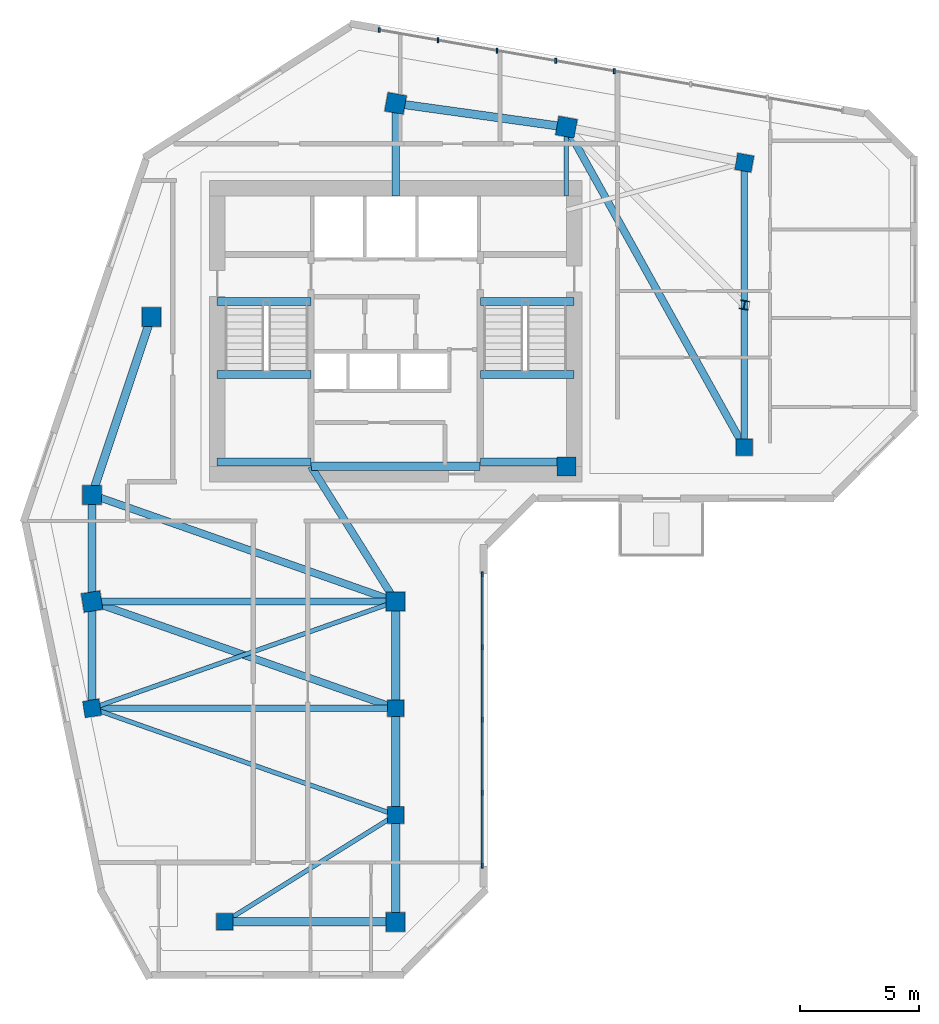
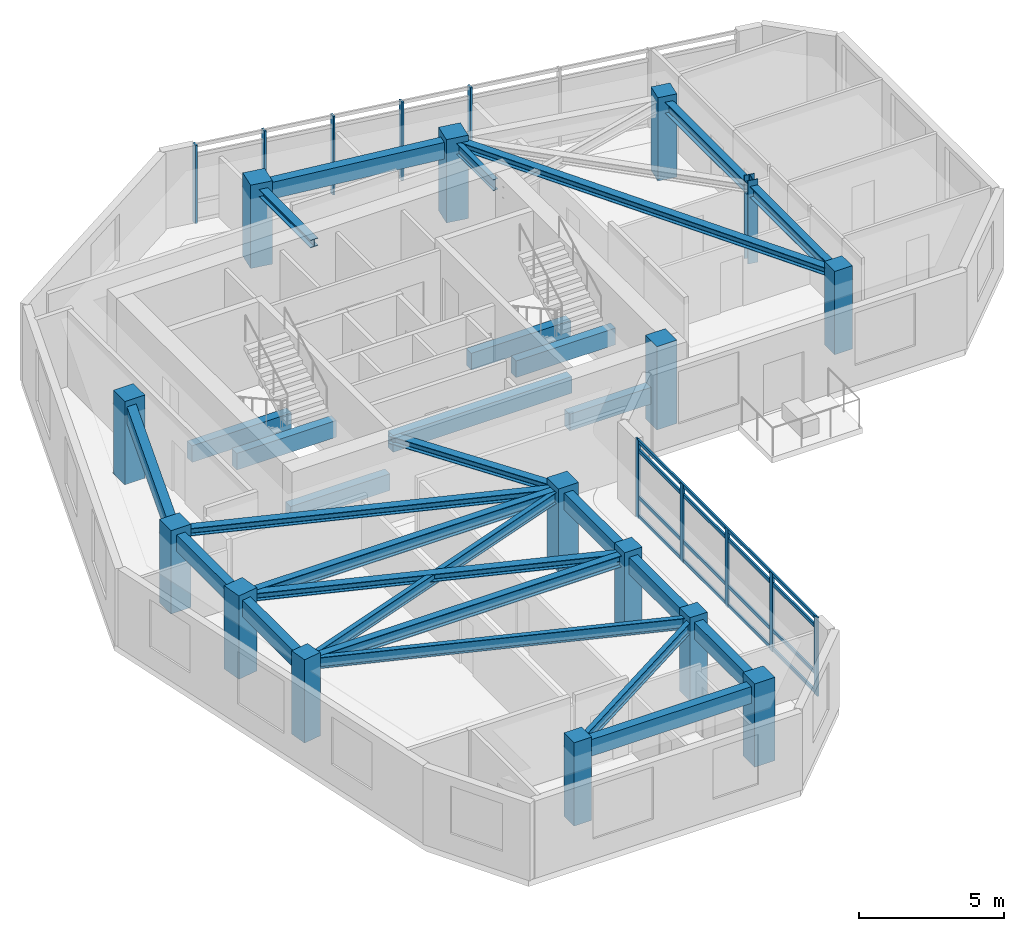
# One storey, part 1 of 9: 27 beams, 15 columns, 14 members, 2 elements without a shape of their own.
"""IFC4 building model written with IfcOpenShell, lengths in metres."""

from ifc_helpers import new_model, si_unit, direction, frame, origin, origin_2d, place, context, subcontext, project, spatial, rectangle, i_section, extrude, source, transform, mapped, material, material_profile, profile_set, type_object, element, aggregate, save


model = new_model("IFC4")

# Units and contexts
model_context = context("Model", 3, precision=1e-05, world=origin(), true_north=direction((0.0, 1.0)))
body_context = subcontext(model_context, "Body", "Model", "MODEL_VIEW")
ifc_project = project(units=[si_unit("LENGTHUNIT", "METRE"), si_unit("AREAUNIT", "SQUARE_METRE"), si_unit("VOLUMEUNIT", "CUBIC_METRE"), si_unit("PLANEANGLEUNIT", "RADIAN"), si_unit("MASSUNIT", "GRAM", prefix="KILO")], contexts=[model_context])

# Site, building, storey
site_placement = place(None, origin())
site = spatial("IfcSite", under=ifc_project, at=site_placement, CompositionType="ELEMENT")
building_placement = place(site_placement, origin())
building = spatial("IfcBuilding", under=site, at=building_placement, Name="Calvemar Wedge Station Tower", CompositionType="ELEMENT")
storey_placement = place(building_placement, frame((0.0, 0.0, 228.89990234375)))
storey = spatial("IfcBuildingStorey", under=building, at=storey_placement, Name="L58", CompositionType="ELEMENT", Elevation=228.89990234375)

# Columns
ifc_material_1 = material(Name="Concrete C50", Category="concrete")
ifc_material_profile_1 = material_profile(ifc_material_1, rectangle(XDim=0.800048828125, YDim=0.800048828125, at=origin_2d()), Name="RC800x800")
ifc_profile_set_1 = profile_set([ifc_material_profile_1], Name="Concrete C50")
column_type_1 = type_object("IfcColumnType", Name="COL-C6-800", PredefinedType="COLUMN", material=ifc_profile_set_1)
shared_shape_1 = source(origin(), body_context, "Body", "SweptSolid", [
    extrude(rectangle(XDim=0.800048828125, YDim=0.800048828125, at=origin_2d()), origin(), (0.0, 0.0, 1.0), 3.5),
])
for number, where, z_axis, x_axis, name in (
    (1, (11.0, 33.0, 0.0), (0.0, 0.0, 1.0), (1.0, 0.0, 0.0), "Storey L58 Column T-NW1"),
    (2, (13.5, 40.5, 0.0), (0.0, 0.0, 1.0), (1.0, 0.0, 0.0), "Storey L58 Column T-NW2"),
    (3, (23.800048828125, 49.5, 0.0), (0.0, 0.0, 1.0), (0.984195607969, -0.17708474032, 0.0), "Storey L58 Column T-N1"),
    (4, (31.0, 48.5, 0.0), (0.0, 0.0, 1.0), (0.984195607969, -0.17708474032, 0.0), "Storey L58 Column T-N2"),
    (5, (31.0, 34.199951171875, 0.0), (0.0, 0.0, 1.0), (1.0, 0.0, 0.0), "Storey L58 Column T-NL1"),
    (6, (11.0, 28.5, 0.0), (0.0, 0.0, 1.0), (0.158158067254, -0.987413806751, 0.0), "Storey L58 Column T-SW1"),
    (7, (23.800048828125, 28.5, 0.0), (0.0, 0.0, 1.0), (1.0, 0.0, 0.0), "Storey L58 Column T-SE1"),
    (8, (23.800048828125, 15.0, 0.0), (0.0, 0.0, 1.0), (1.0, 0.0, 0.0), "Storey L58 Column T-SE4"),
):
    element("IfcColumn", number, at=place(storey_placement, frame(where, z_axis=z_axis, x_axis=x_axis)), inside=storey, type_object=column_type_1, Name=name, PredefinedType="COLUMN", context=body_context, shape_type="MappedRepresentation", body=[
        mapped(shared_shape_1, transform((0.0, 0.0, 0.0), scale=1.0)),
    ])
ifc_material_profile_2 = material_profile(ifc_material_1, rectangle(XDim=0.699951171875, YDim=0.699951171875, at=origin_2d()), Name="RC700x700")
ifc_profile_set_2 = profile_set([ifc_material_profile_2], Name="Concrete C50")
column_type_2 = type_object("IfcColumnType", Name="COL-C7-700", PredefinedType="COLUMN", material=ifc_profile_set_2)
shared_shape_2 = source(origin(), body_context, "Body", "SweptSolid", [
    extrude(rectangle(XDim=0.699951171875, YDim=0.699951171875, at=origin_2d()), origin(), (0.0, 0.0, 1.0), 3.5),
])
for number, where, z_axis, x_axis, name in (
    (9, (38.5, 47.0, 0.0), (0.0, 0.0, 1.0), (0.984195607969, -0.17708474032, 0.0), "Storey L58 Column T-NU3"),
    (10, (38.5, 35.0, 0.0), (0.0, 0.0, 1.0), (1.0, 0.0, 0.0), "Storey L58 Column T-NL2"),
    (11, (11.0, 24.0, 0.0), (0.0, 0.0, 1.0), (0.158158067254, -0.987413806751, 0.0), "Storey L58 Column T-SW2"),
    (12, (23.800048828125, 24.0, 0.0), (0.0, 0.0, 1.0), (1.0, 0.0, 0.0), "Storey L58 Column T-SE2"),
    (13, (23.800048828125, 19.5, 0.0), (0.0, 0.0, 1.0), (1.0, 0.0, 0.0), "Storey L58 Column T-SE3"),
    (14, (16.60009765625, 15.0, 0.0), (0.0, 0.0, 1.0), (1.0, 0.0, 0.0), "Storey L58 Column T-SM1"),
):
    element("IfcColumn", number, at=place(storey_placement, frame(where, z_axis=z_axis, x_axis=x_axis)), inside=storey, type_object=column_type_2, Name=name, PredefinedType="COLUMN", context=body_context, shape_type="MappedRepresentation", body=[
        mapped(shared_shape_2, transform((0.0, 0.0, 0.0), scale=1.0)),
    ])
ifc_material_2 = material(Name="Structural steel ASTM A572 Grade 50", Category="steel")
ifc_material_profile_3 = material_profile(ifc_material_2, i_section(OverallWidth=0.3740234375, OverallDepth=0.3720703125, WebThickness=0.016357421875, FlangeThickness=0.026123046875, FilletRadius=0.014892578125, at=origin_2d()), Name="W360x196")
ifc_profile_set_3 = profile_set([ifc_material_profile_3], Name="Structural steel ASTM A572 Grade 50")
column_type_3 = type_object("IfcColumnType", Name="COL-STL-W360", PredefinedType="COLUMN", material=ifc_profile_set_3)
shared_shape_3 = source(origin(), body_context, "Body", "SweptSolid", [
    extrude(i_section(OverallWidth=0.3740234375, OverallDepth=0.3720703125, WebThickness=0.016357421875, FlangeThickness=0.026123046875, FilletRadius=0.014892578125, at=origin_2d()), origin(), (0.0, 0.0, 1.0), 3.5),
])
column_placement = place(storey_placement, frame((38.5, 41.0, 0.0), z_axis=(0.0, 0.0, 1.0), x_axis=(0.984195607969, -0.17708474032, 0.0)))
element("IfcColumn", 15, at=column_placement, inside=storey, type_object=column_type_3, Name="Storey L58 Column T-NTIP-B", PredefinedType="COLUMN", context=body_context, shape_type="MappedRepresentation", body=[
    mapped(shared_shape_3, transform((0.0, 0.0, 0.0), scale=1.0)),
])

# Beams
ifc_material_3 = material(Name="Concrete C70", Category="concrete")
ifc_material_profile_4 = material_profile(ifc_material_3, rectangle(XDim=0.35009765625, YDim=0.699951171875, at=origin_2d()), Name="RC350x700")
ifc_profile_set_4 = profile_set([ifc_material_profile_4], Name="Concrete C70")
beam_type_1 = type_object("IfcBeamType", Name="BM-LN1-700", PredefinedType="LINTEL", material=ifc_profile_set_4)
shared_shape_4 = source(origin(), body_context, "Body", "SweptSolid", [
    extrude(rectangle(XDim=0.35009765625, YDim=0.699951171875, at=origin_2d()), origin(), (0.0, 0.0, 1.0), 7.10009765625),
])
beam_1_placement = place(storey_placement, frame((20.25, 34.199951171875, 2.900146484375), z_axis=(1.0, 0.0, 0.0), x_axis=(0.0, 1.0, 0.0)))
element("IfcBeam", 16, at=beam_1_placement, inside=storey, type_object=beam_type_1, Name="Storey L58 Core Coupling Lintel South", PredefinedType="LINTEL", context=body_context, shape_type="MappedRepresentation", body=[
    mapped(shared_shape_4, transform((0.0, 0.0, 0.0), scale=1.0)),
])
ifc_material_profile_5 = material_profile(ifc_material_2, i_section(OverallWidth=0.30908203125, OverallDepth=0.322998046875, WebThickness=0.013916015625, FlangeThickness=0.02294921875, FilletRadius=0.014892578125, at=origin_2d()), Name="W310x143")
ifc_profile_set_5 = profile_set([ifc_material_profile_5], Name="Structural steel ASTM A572 Grade 50")
beam_type_2 = type_object("IfcBeamType", Name="BM-J5-W310H", PredefinedType="JOIST", material=ifc_profile_set_5)
shared_shape_5 = source(origin(), body_context, "Body", "SweptSolid", [
    extrude(i_section(OverallWidth=0.30908203125, OverallDepth=0.322998046875, WebThickness=0.013916015625, FlangeThickness=0.02294921875, FilletRadius=0.014892578125, at=origin_2d()), origin(), (0.0, 0.0, 1.0), 15.443359375),
])
beam_2_placement = place(storey_placement, frame((31.0, 48.5, 3.088623046875), z_axis=(0.485642931179, -0.874157276122, 0.0), x_axis=(0.874157276122, 0.485642931179, 0.0)))
element("IfcBeam", 17, at=beam_2_placement, inside=storey, type_object=beam_type_2, Name="Storey L58 Floor Beam T-N2-T-NL2", PredefinedType="JOIST", context=body_context, shape_type="MappedRepresentation", body=[
    mapped(shared_shape_5, transform((0.0, 0.0, 0.0), scale=1.0)),
])
shared_shape_6 = source(origin(), body_context, "Body", "SweptSolid", [
    extrude(i_section(OverallWidth=0.30908203125, OverallDepth=0.322998046875, WebThickness=0.013916015625, FlangeThickness=0.02294921875, FilletRadius=0.014892578125, at=origin_2d()), origin(), (0.0, 0.0, 1.0), 13.568115234375),
])
for number, where, z_axis, x_axis, name in (
    (18, (11.0, 33.0, 3.088623046875), (0.943398221169, -0.331662171939, 0.0), (0.331662171939, 0.943398221169, 0.0), "Storey L58 Floor Beam T-NW1-T-SE1"),
    (19, (11.0, 28.5, 3.088623046875), (0.943398221169, -0.331662171939, 0.0), (0.331662171939, 0.943398221169, 0.0), "Storey L58 Floor Beam T-SW1-T-SE2"),
):
    element("IfcBeam", number, at=place(storey_placement, frame(where, z_axis=z_axis, x_axis=x_axis)), inside=storey, type_object=beam_type_2, Name=name, PredefinedType="JOIST", context=body_context, shape_type="MappedRepresentation", body=[
        mapped(shared_shape_6, transform((0.0, 0.0, 0.0), scale=1.0)),
    ])
ifc_material_profile_6 = material_profile(ifc_material_2, i_section(OverallWidth=0.19189453125, OverallDepth=0.462890625, WebThickness=0.010498046875, FlangeThickness=0.017578125, FilletRadius=0.012939453125, at=origin_2d()), Name="W460x89")
ifc_profile_set_6 = profile_set([ifc_material_profile_6], Name="Structural steel ASTM A572 Grade 50")
beam_type_3 = type_object("IfcBeamType", Name="BM-J1-W460", PredefinedType="JOIST", material=ifc_profile_set_6)
shared_shape_7 = source(origin(), body_context, "Body", "SweptSolid", [
    extrude(i_section(OverallWidth=0.19189453125, OverallDepth=0.462890625, WebThickness=0.010498046875, FlangeThickness=0.017578125, FilletRadius=0.012939453125, at=origin_2d()), origin(), (0.0, 0.0, 1.0), 13.568115234375),
])
for number, where, z_axis, x_axis, name in (
    (20, (23.800048828125, 28.5, 3.0185546875), (-0.943398221169, -0.331662171939, 0.0), (0.331662171939, -0.943398221169, 0.0), "Storey L58 Floor Beam T-SE1-T-SW2"),
    (21, (11.0, 24.0, 3.0185546875), (0.943398221169, -0.331662171939, 0.0), (0.331662171939, 0.943398221169, 0.0), "Storey L58 Floor Beam T-SW2-T-SE3"),
):
    element("IfcBeam", number, at=place(storey_placement, frame(where, z_axis=z_axis, x_axis=x_axis)), inside=storey, type_object=beam_type_3, Name=name, PredefinedType="JOIST", context=body_context, shape_type="MappedRepresentation", body=[
        mapped(shared_shape_7, transform((0.0, 0.0, 0.0), scale=1.0)),
    ])
shared_shape_8 = source(origin(), body_context, "Body", "SweptSolid", [
    extrude(i_section(OverallWidth=0.19189453125, OverallDepth=0.462890625, WebThickness=0.010498046875, FlangeThickness=0.017578125, FilletRadius=0.012939453125, at=origin_2d()), origin(), (0.0, 0.0, 1.0), 8.490478515625),
])
beam_3_placement = place(storey_placement, frame((23.800048828125, 19.5, 3.0185546875), z_axis=(-0.847996688584, -0.530001524668, 0.0), x_axis=(0.530001524668, -0.847996688584, 0.0)))
element("IfcBeam", 22, at=beam_3_placement, inside=storey, type_object=beam_type_3, Name="Storey L58 Floor Beam T-SE3-T-SM1", PredefinedType="JOIST", context=body_context, shape_type="MappedRepresentation", body=[
    mapped(shared_shape_8, transform((0.0, 0.0, 0.0), scale=1.0)),
])
shared_shape_9 = source(origin(), body_context, "Body", "SweptSolid", [
    extrude(i_section(OverallWidth=0.30908203125, OverallDepth=0.322998046875, WebThickness=0.013916015625, FlangeThickness=0.02294921875, FilletRadius=0.014892578125, at=origin_2d()), origin(), (0.0, 0.0, 1.0), 3.89990234375),
])
beam_4_placement = place(storey_placement, frame((23.800048828125, 45.60009765625, 3.088623046875), z_axis=(0.0, 1.0, 0.0), x_axis=(-1.0, 0.0, 0.0)))
element("IfcBeam", 23, at=beam_4_placement, inside=storey, type_object=beam_type_2, Name="Storey L58 Core-to-Column Joist CJ-N1", PredefinedType="JOIST", context=body_context, shape_type="MappedRepresentation", body=[
    mapped(shared_shape_9, transform((0.0, 0.0, 0.0), scale=1.0)),
])
shared_shape_10 = source(origin(), body_context, "Body", "SweptSolid", [
    extrude(i_section(OverallWidth=0.19189453125, OverallDepth=0.462890625, WebThickness=0.010498046875, FlangeThickness=0.017578125, FilletRadius=0.012939453125, at=origin_2d()), origin(), (0.0, 0.0, 1.0), 2.89990234375),
])
beam_5_placement = place(storey_placement, frame((31.0, 45.60009765625, 3.0185546875), z_axis=(0.0, 1.0, 0.0), x_axis=(-1.0, 0.0, 0.0)))
element("IfcBeam", 24, at=beam_5_placement, inside=storey, type_object=beam_type_3, Name="Storey L58 Core-to-Column Joist CJ-N2", PredefinedType="JOIST", context=body_context, shape_type="MappedRepresentation", body=[
    mapped(shared_shape_10, transform((0.0, 0.0, 0.0), scale=1.0)),
])
shared_shape_11 = source(origin(), body_context, "Body", "SweptSolid", [
    extrude(i_section(OverallWidth=0.30908203125, OverallDepth=0.322998046875, WebThickness=0.013916015625, FlangeThickness=0.02294921875, FilletRadius=0.014892578125, at=origin_2d()), origin(), (0.0, 0.0, 1.0), 6.7255859375),
])
beam_6_placement = place(storey_placement, frame((20.22998046875, 34.199951171875, 3.088623046875), z_axis=(0.530811158438, -0.847490126242, 0.0), x_axis=(0.847490126242, 0.530811158438, 0.0)))
element("IfcBeam", 25, at=beam_6_placement, inside=storey, type_object=beam_type_2, Name="Storey L58 Core-to-Column Joist CJ-S2", PredefinedType="JOIST", context=body_context, shape_type="MappedRepresentation", body=[
    mapped(shared_shape_11, transform((0.0, 0.0, 0.0), scale=1.0)),
])
shared_shape_12 = source(origin(), body_context, "Body", "SweptSolid", [
    extrude(rectangle(XDim=0.35009765625, YDim=0.699951171875, at=origin_2d()), origin(), (0.0, 0.0, 1.0), 3.955078125),
])
for number, where, z_axis, x_axis, name in (
    (26, (16.27490234375, 41.14990234375, -0.349853515625), (1.0, 0.0, 0.0), (0.0, 1.0, 0.0), "Storey L58 Stair ST-C1 Landing Trimmer Beam"),
    (27, (16.27490234375, 34.3798828125, 1.2001953125), (1.0, 0.0, 0.0), (0.0, 1.0, 0.0), "Storey L58 Stair ST-C1 Half-Landing Beam 1A"),
    (28, (16.27490234375, 38.070068359375, 1.2001953125), (1.0, 0.0, 0.0), (0.0, 1.0, 0.0), "Storey L58 Stair ST-C1 Half-Landing Beam 1B"),
):
    element("IfcBeam", number, at=place(storey_placement, frame(where, z_axis=z_axis, x_axis=x_axis)), inside=storey, type_object=beam_type_1, Name=name, PredefinedType="LINTEL", context=body_context, shape_type="MappedRepresentation", body=[
        mapped(shared_shape_12, transform((0.0, 0.0, 0.0), scale=1.0)),
    ])
shared_shape_13 = source(origin(), body_context, "Body", "SweptSolid", [
    extrude(rectangle(XDim=0.35009765625, YDim=0.699951171875, at=origin_2d()), origin(), (0.0, 0.0, 1.0), 3.954833984375),
])
for number, where, z_axis, x_axis, name in (
    (29, (27.3701171875, 41.14990234375, -0.349853515625), (1.0, 0.0, 0.0), (0.0, 1.0, 0.0), "Storey L58 Stair ST-C2 Landing Trimmer Beam"),
    (30, (27.3701171875, 34.3798828125, 1.2001953125), (1.0, 0.0, 0.0), (0.0, 1.0, 0.0), "Storey L58 Stair ST-C2 Half-Landing Beam 1A"),
    (31, (27.3701171875, 38.070068359375, 1.2001953125), (1.0, 0.0, 0.0), (0.0, 1.0, 0.0), "Storey L58 Stair ST-C2 Half-Landing Beam 1B"),
):
    element("IfcBeam", number, at=place(storey_placement, frame(where, z_axis=z_axis, x_axis=x_axis)), inside=storey, type_object=beam_type_1, Name=name, PredefinedType="LINTEL", context=body_context, shape_type="MappedRepresentation", body=[
        mapped(shared_shape_13, transform((0.0, 0.0, 0.0), scale=1.0)),
    ])
ifc_material_profile_7 = material_profile(ifc_material_1, rectangle(XDim=0.35009765625, YDim=0.699951171875, at=origin_2d()), Name="RC350x700")
ifc_profile_set_7 = profile_set([ifc_material_profile_7], Name="Concrete C50")
beam_type_4 = type_object("IfcBeamType", Name="BM-SP2-700", PredefinedType="SPANDREL", material=ifc_profile_set_7)
shared_shape_14 = source(origin(), body_context, "Body", "SweptSolid", [
    extrude(rectangle(XDim=0.35009765625, YDim=0.699951171875, at=origin_2d()), origin(), (0.0, 0.0, 1.0), 7.90576171875),
])
beam_7_placement = place(storey_placement, frame((11.0, 33.0, 2.900146484375), z_axis=(0.316227766017, 0.948683298051, 0.0), x_axis=(-0.948683298051, 0.316227766017, 0.0)))
element("IfcBeam", 32, at=beam_7_placement, inside=storey, type_object=beam_type_4, Name="Storey L58 Spandrel T-NW1-T-NW2", PredefinedType="SPANDREL", context=body_context, shape_type="MappedRepresentation", body=[
    mapped(shared_shape_14, transform((0.0, 0.0, 0.0), scale=1.0)),
])
shared_shape_15 = source(origin(), body_context, "Body", "SweptSolid", [
    extrude(rectangle(XDim=0.35009765625, YDim=0.699951171875, at=origin_2d()), origin(), (0.0, 0.0, 1.0), 7.26904296875),
])
beam_8_placement = place(storey_placement, frame((23.800048828125, 49.5, 2.900146484375), z_axis=(0.990492146053, -0.13756928657, 0.0), x_axis=(0.13756928657, 0.990492146053, 0.0)))
element("IfcBeam", 33, at=beam_8_placement, inside=storey, type_object=beam_type_4, Name="Storey L58 Spandrel T-N1-T-N2", PredefinedType="SPANDREL", context=body_context, shape_type="MappedRepresentation", body=[
    mapped(shared_shape_15, transform((0.0, 0.0, 0.0), scale=1.0)),
])
ifc_material_profile_8 = material_profile(ifc_material_2, i_section(OverallWidth=0.283935546875, OverallDepth=0.47607421875, WebThickness=0.014892578125, FlangeThickness=0.02392578125, FilletRadius=0.014892578125, at=origin_2d()), Name="W460x158")
ifc_profile_set_8 = profile_set([ifc_material_profile_8], Name="Structural steel ASTM A572 Grade 50")
beam_type_5 = type_object("IfcBeamType", Name="BM-SB5-W460H", PredefinedType="BEAM", material=ifc_profile_set_8)
shared_shape_16 = source(origin(), body_context, "Body", "SweptSolid", [
    extrude(i_section(OverallWidth=0.283935546875, OverallDepth=0.47607421875, WebThickness=0.014892578125, FlangeThickness=0.02392578125, FilletRadius=0.014892578125, at=origin_2d()), origin(), (0.0, 0.0, 1.0), 12.0),
])
beam_9_placement = place(storey_placement, frame((38.5, 47.0, 3.01220703125), z_axis=(0.0, -1.0, 0.0), x_axis=(1.0, 0.0, 0.0)))
element("IfcBeam", 34, at=beam_9_placement, inside=storey, type_object=beam_type_5, Name="Storey L58 Floor Beam T-NU3-T-NL2", PredefinedType="BEAM", context=body_context, shape_type="MappedRepresentation", body=[
    mapped(shared_shape_16, transform((0.0, 0.0, 0.0), scale=1.0)),
])
shared_shape_17 = source(origin(), body_context, "Body", "SweptSolid", [
    extrude(rectangle(XDim=0.35009765625, YDim=0.699951171875, at=origin_2d()), origin(), (0.0, 0.0, 1.0), 4.5),
])
for number, where, z_axis, x_axis, name in (
    (35, (11.0, 33.0, 2.900146484375), (0.0, -1.0, 0.0), (1.0, 0.0, 0.0), "Storey L58 Spandrel T-NW1-T-SW1"),
    (36, (11.0, 28.5, 2.900146484375), (0.0, -1.0, 0.0), (1.0, 0.0, 0.0), "Storey L58 Spandrel T-SW1-T-SW2"),
    (37, (23.800048828125, 28.5, 2.900146484375), (0.0, -1.0, 0.0), (1.0, 0.0, 0.0), "Storey L58 Spandrel T-SE1-T-SE2"),
    (38, (23.800048828125, 24.0, 2.900146484375), (0.0, -1.0, 0.0), (1.0, 0.0, 0.0), "Storey L58 Spandrel T-SE2-T-SE3"),
    (39, (23.800048828125, 19.5, 2.900146484375), (0.0, -1.0, 0.0), (1.0, 0.0, 0.0), "Storey L58 Spandrel T-SE3-T-SE4"),
):
    element("IfcBeam", number, at=place(storey_placement, frame(where, z_axis=z_axis, x_axis=x_axis)), inside=storey, type_object=beam_type_4, Name=name, PredefinedType="SPANDREL", context=body_context, shape_type="MappedRepresentation", body=[
        mapped(shared_shape_17, transform((0.0, 0.0, 0.0), scale=1.0)),
    ])
shared_shape_18 = source(origin(), body_context, "Body", "SweptSolid", [
    extrude(rectangle(XDim=0.35009765625, YDim=0.699951171875, at=origin_2d()), origin(), (0.0, 0.0, 1.0), 7.199951171875),
])
beam_10_placement = place(storey_placement, frame((16.60009765625, 15.0, 2.900146484375), z_axis=(1.0, 0.0, 0.0), x_axis=(0.0, 1.0, 0.0)))
element("IfcBeam", 40, at=beam_10_placement, inside=storey, type_object=beam_type_4, Name="Storey L58 Spandrel T-SM1-T-SE4", PredefinedType="SPANDREL", context=body_context, shape_type="MappedRepresentation", body=[
    mapped(shared_shape_18, transform((0.0, 0.0, 0.0), scale=1.0)),
])
shared_shape_19 = source(origin(), body_context, "Body", "SweptSolid", [
    extrude(i_section(OverallWidth=0.283935546875, OverallDepth=0.47607421875, WebThickness=0.014892578125, FlangeThickness=0.02392578125, FilletRadius=0.014892578125, at=origin_2d()), origin(), (0.0, 0.0, 1.0), 12.800048828125),
])
for number, where, z_axis, x_axis, name in (
    (41, (11.0, 28.5, 3.01220703125), (1.0, 0.0, 0.0), (0.0, 1.0, 0.0), "Storey L58 Floor Beam T-SW1-T-SE1"),
    (42, (11.0, 24.0, 3.01220703125), (1.0, 0.0, 0.0), (0.0, 1.0, 0.0), "Storey L58 Floor Beam T-SW2-T-SE2"),
):
    element("IfcBeam", number, at=place(storey_placement, frame(where, z_axis=z_axis, x_axis=x_axis)), inside=storey, type_object=beam_type_5, Name=name, PredefinedType="BEAM", context=body_context, shape_type="MappedRepresentation", body=[
        mapped(shared_shape_19, transform((0.0, 0.0, 0.0), scale=1.0)),
    ])

# Curtain wall, members
ifc_material_4 = material(Name="Anodised aluminium 6063-T6", Category="aluminium")
curtain_wall_type = type_object("IfcCurtainWallType", Name="CW3", PredefinedType="NOTDEFINED", material=ifc_material_4)
curtain_wall_1_placement = place(storey_placement, origin())
curtain_wall_1 = element("IfcCurtainWall", 43, at=curtain_wall_1_placement, inside=storey, type_object=curtain_wall_type, Name="Storey L58 CW3 Recessed Unitised Curtain Wall 4", PredefinedType="NOTDEFINED")
ifc_material_profile_9 = material_profile(ifc_material_4, rectangle(XDim=0.074951171875, YDim=0.2099609375, at=origin_2d()), Name="AL-MUL-75x210")
ifc_profile_set_9 = profile_set([ifc_material_profile_9], Name="Anodised aluminium 6063-T6")
member_type_1 = type_object("IfcMemberType", Name="CW3-MUL", PredefinedType="MULLION", material=ifc_profile_set_9)
shared_shape_20 = source(origin(), body_context, "Body", "SweptSolid", [
    extrude(rectangle(XDim=0.074951171875, YDim=0.2099609375, at=origin_2d()), origin(), (0.0, 0.0, 1.0), 3.2998046875),
])
member_1_placement = place(storey_placement, frame((27.4541015625, 17.362060546875, -0.0498046875), z_axis=(0.0, 0.0, 1.0), x_axis=(1.0, 0.0, 0.0)))
member_1 = element("IfcMember", 44, at=member_1_placement, type_object=member_type_1, Name="CW3 mullion 1", PredefinedType="MULLION", context=body_context, shape_type="MappedRepresentation", body=[
    mapped(shared_shape_20, transform((0.0, 0.0, 0.0), scale=1.0)),
])
member_2_placement = place(storey_placement, frame((27.4541015625, 20.43505859375, -0.0498046875), z_axis=(0.0, 0.0, 1.0), x_axis=(1.0, 0.0, 0.0)))
member_2 = element("IfcMember", 45, at=member_2_placement, type_object=member_type_1, Name="CW3 mullion 2", PredefinedType="MULLION", context=body_context, shape_type="MappedRepresentation", body=[
    mapped(shared_shape_20, transform((0.0, 0.0, 0.0), scale=1.0)),
])
member_3_placement = place(storey_placement, frame((27.4541015625, 23.508056640625, -0.0498046875), z_axis=(0.0, 0.0, 1.0), x_axis=(1.0, 0.0, 0.0)))
member_3 = element("IfcMember", 46, at=member_3_placement, type_object=member_type_1, Name="CW3 mullion 3", PredefinedType="MULLION", context=body_context, shape_type="MappedRepresentation", body=[
    mapped(shared_shape_20, transform((0.0, 0.0, 0.0), scale=1.0)),
])
member_4_placement = place(storey_placement, frame((27.4541015625, 26.5810546875, -0.0498046875), z_axis=(0.0, 0.0, 1.0), x_axis=(1.0, 0.0, 0.0)))
member_4 = element("IfcMember", 47, at=member_4_placement, type_object=member_type_1, Name="CW3 mullion 4", PredefinedType="MULLION", context=body_context, shape_type="MappedRepresentation", body=[
    mapped(shared_shape_20, transform((0.0, 0.0, 0.0), scale=1.0)),
])
member_5_placement = place(storey_placement, frame((27.4541015625, 29.654052734375, -0.0498046875), z_axis=(0.0, 0.0, 1.0), x_axis=(1.0, 0.0, 0.0)))
member_5 = element("IfcMember", 48, at=member_5_placement, type_object=member_type_1, Name="CW3 mullion 5", PredefinedType="MULLION", context=body_context, shape_type="MappedRepresentation", body=[
    mapped(shared_shape_20, transform((0.0, 0.0, 0.0), scale=1.0)),
])

curtain_wall_2_placement = place(storey_placement, origin())
curtain_wall_2 = element("IfcCurtainWall", 49, at=curtain_wall_2_placement, inside=storey, type_object=curtain_wall_type, Name="Storey L58 CW3 Recessed Unitised Curtain Wall 10", PredefinedType="NOTDEFINED")
member_6_placement = place(storey_placement, frame((33.021484375, 50.861572265625, -0.0498046875), z_axis=(0.0, 0.0, 1.0), x_axis=(1.0, 0.0, 0.0)))
member_6 = element("IfcMember", 50, at=member_6_placement, type_object=member_type_1, Name="CW3 mullion 4", PredefinedType="MULLION", context=body_context, shape_type="MappedRepresentation", body=[
    mapped(shared_shape_20, transform((0.0, 0.0, 0.0), scale=1.0)),
])
member_7_placement = place(storey_placement, frame((30.54638671875, 51.2939453125, -0.0498046875), z_axis=(0.0, 0.0, 1.0), x_axis=(1.0, 0.0, 0.0)))
member_7 = element("IfcMember", 51, at=member_7_placement, type_object=member_type_1, Name="CW3 mullion 5", PredefinedType="MULLION", context=body_context, shape_type="MappedRepresentation", body=[
    mapped(shared_shape_20, transform((0.0, 0.0, 0.0), scale=1.0)),
])
member_8_placement = place(storey_placement, frame((28.071533203125, 51.726318359375, -0.0498046875), z_axis=(0.0, 0.0, 1.0), x_axis=(1.0, 0.0, 0.0)))
member_8 = element("IfcMember", 52, at=member_8_placement, type_object=member_type_1, Name="CW3 mullion 6", PredefinedType="MULLION", context=body_context, shape_type="MappedRepresentation", body=[
    mapped(shared_shape_20, transform((0.0, 0.0, 0.0), scale=1.0)),
])
member_9_placement = place(storey_placement, frame((25.588134765625, 52.159912109375, -0.0498046875), z_axis=(0.0, 0.0, 1.0), x_axis=(1.0, 0.0, 0.0)))
member_9 = element("IfcMember", 53, at=member_9_placement, type_object=member_type_1, Name="CW3 mullion 7", PredefinedType="MULLION", context=body_context, shape_type="MappedRepresentation", body=[
    mapped(shared_shape_20, transform((0.0, 0.0, 0.0), scale=1.0)),
])
member_10_placement = place(storey_placement, frame((23.104736328125, 52.59375, -0.0498046875), z_axis=(0.0, 0.0, 1.0), x_axis=(1.0, 0.0, 0.0)))
member_10 = element("IfcMember", 54, at=member_10_placement, type_object=member_type_1, Name="CW3 mullion 8", PredefinedType="MULLION", context=body_context, shape_type="MappedRepresentation", body=[
    mapped(shared_shape_20, transform((0.0, 0.0, 0.0), scale=1.0)),
])
aggregate(curtain_wall_2, [member_6, member_7, member_8, member_9, member_10])

# Member
ifc_material_profile_10 = material_profile(ifc_material_4, rectangle(XDim=0.074951171875, YDim=0.14501953125, at=origin_2d()), Name="AL-TRN-75x145")
ifc_profile_set_10 = profile_set([ifc_material_profile_10], Name="Anodised aluminium 6063-T6")
member_type_2 = type_object("IfcMemberType", Name="CW3-TRN", PredefinedType="USERDEFINED", material=ifc_profile_set_10)
shared_shape_21 = source(origin(), body_context, "Body", "SweptSolid", [
    extrude(rectangle(XDim=0.074951171875, YDim=0.14501953125, at=origin_2d()), origin(), (0.0, 0.0, 1.0), 12.2919921875),
])
member_11_placement = place(storey_placement, frame((27.4541015625, 17.362060546875, 0.06005859375), z_axis=(0.0, 1.0, 0.0), x_axis=(-1.0, 0.0, 0.0)))
member_11 = element("IfcMember", 55, at=member_11_placement, type_object=member_type_2, Name="CW3 transom 1", ObjectType="TRANSOM", PredefinedType="USERDEFINED", context=body_context, shape_type="MappedRepresentation", body=[
    mapped(shared_shape_21, transform((0.0, 0.0, 0.0), scale=1.0)),
])

member_12_placement = place(storey_placement, frame((27.4541015625, 17.362060546875, 0.85009765625), z_axis=(0.0, 1.0, 0.0), x_axis=(-1.0, 0.0, 0.0)))
member_12 = element("IfcMember", 56, at=member_12_placement, type_object=member_type_2, Name="CW3 transom 2", ObjectType="TRANSOM", PredefinedType="USERDEFINED", context=body_context, shape_type="MappedRepresentation", body=[
    mapped(shared_shape_21, transform((0.0, 0.0, 0.0), scale=1.0)),
])

member_13_placement = place(storey_placement, frame((27.4541015625, 17.362060546875, 2.800048828125), z_axis=(0.0, 1.0, 0.0), x_axis=(-1.0, 0.0, 0.0)))
member_13 = element("IfcMember", 57, at=member_13_placement, type_object=member_type_2, Name="CW3 transom 3", ObjectType="TRANSOM", PredefinedType="USERDEFINED", context=body_context, shape_type="MappedRepresentation", body=[
    mapped(shared_shape_21, transform((0.0, 0.0, 0.0), scale=1.0)),
])

member_14_placement = place(storey_placement, frame((27.4541015625, 17.362060546875, 3.190185546875), z_axis=(0.0, 1.0, 0.0), x_axis=(-1.0, 0.0, 0.0)))
member_14 = element("IfcMember", 58, at=member_14_placement, type_object=member_type_2, Name="CW3 transom 4", ObjectType="TRANSOM", PredefinedType="USERDEFINED", context=body_context, shape_type="MappedRepresentation", body=[
    mapped(shared_shape_21, transform((0.0, 0.0, 0.0), scale=1.0)),
])

aggregate(curtain_wall_1, [member_1, member_2, member_3, member_4, member_5, member_11, member_12, member_13, member_14])

save(model, "model.ifc")
